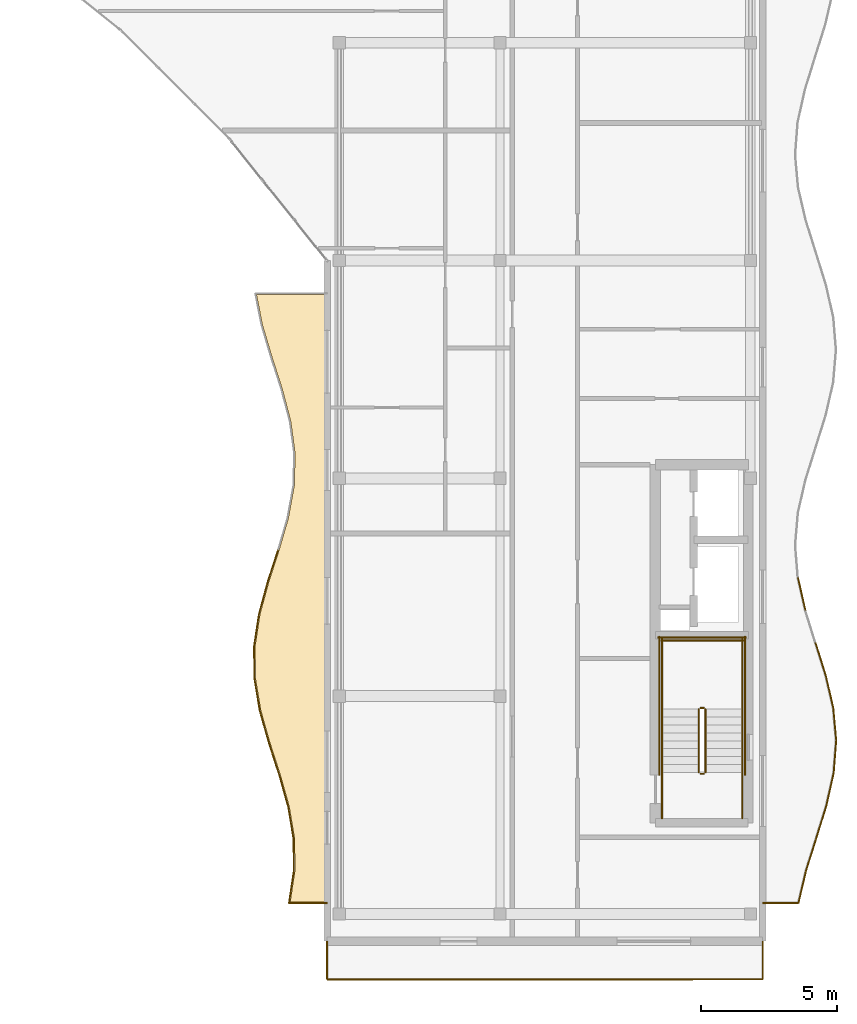
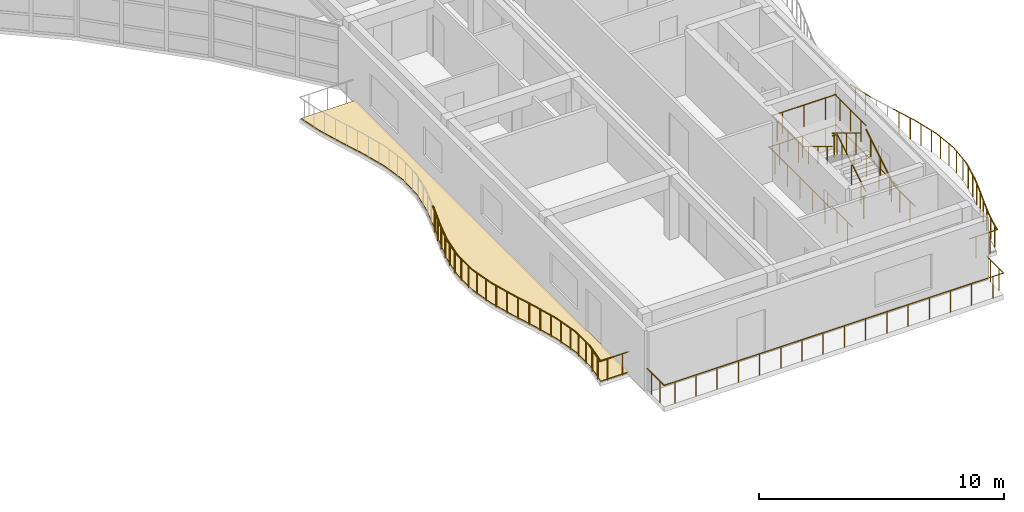
# One storey, part 16 of 18: 39 railings, 1 covering.
"""IFC4 building model written with IfcOpenShell, lengths in metres."""

import ifcopenshell
import ifcopenshell.guid

model = None  # the IFC model being written
_history = None  # IfcOwnerHistory: only IFC2X3 demands one
_inside = {}  # id of a spatial element -> (the spatial element, [elements in it])
_under = {}  # id of a project, library or spatial element -> (it, [spatial elements below it])
_declared = {}  # id of a project -> (the project, [libraries it declares])
_typed = {}  # id of a type object -> (the type object, [elements of that type])
_made_of = {}  # id of a material, layer set ... -> (it, [elements and type objects made of it])


def new_model(schema):
    """Start an empty IFC model of exactly this schema.

    Asked for "IFC4X3", IfcOpenShell would pick the latest addendum, in which some entities
    have other attributes; the version numbers below select the first issue.
    IFC2X3 requires an IfcOwnerHistory on every rooted entity: one is made here for all.
    """
    global model, _history
    if schema == "IFC4X3":
        model = ifcopenshell.file(schema_version=(4, 3, 0, 0))
    else:
        model = ifcopenshell.file(schema=schema)
    _inside.clear()
    _under.clear()
    _declared.clear()
    _typed.clear()
    _made_of.clear()
    _history = None
    if model.schema == "IFC2X3":
        org = make("IfcOrganization", Name="unknown")
        user = make(
            "IfcPersonAndOrganization",
            ThePerson=make("IfcPerson", FamilyName="unknown"),
            TheOrganization=org,
        )
        app = make(
            "IfcApplication",
            ApplicationDeveloper=org,
            Version="unknown",
            ApplicationFullName="unknown",
            ApplicationIdentifier="unknown",
        )
        _history = make(
            "IfcOwnerHistory",
            OwningUser=user,
            OwningApplication=app,
            ChangeAction="ADDED",
            CreationDate=0,
        )
    return model


def make(cls, **values):
    """One entity of the class cls with the attributes given. An attribute that is None is left unset."""
    return model.create_entity(
        cls, **{name: value for name, value in values.items() if value is not None}
    )


def rooted(cls, **values):
    """An entity with a GlobalId (a new one), such as an element, a storey or a relation."""
    return make(cls, GlobalId=ifcopenshell.guid.new(), OwnerHistory=_history, **values)


def si_unit(unit_type, name, prefix=None):
    """IfcSIUnit, for example si_unit("LENGTHUNIT", "METRE", prefix="MILLI")."""
    return make("IfcSIUnit", UnitType=unit_type, Prefix=prefix, Name=name)


def assignment(units):
    """IfcUnitAssignment: the units of a project."""
    return None if units is None else make("IfcUnitAssignment", Units=units)


def point(xyz):
    """IfcCartesianPoint."""
    return None if xyz is None else make("IfcCartesianPoint", Coordinates=xyz)


def direction(xyz):
    """IfcDirection."""
    return None if xyz is None else make("IfcDirection", DirectionRatios=xyz)


def frame(location, z_axis=None, x_axis=None):
    """IfcAxis2Placement3D, a coordinate frame: its origin and axes. An axis left out is left unset."""
    return make(
        "IfcAxis2Placement3D",
        Location=point(location),
        Axis=direction(z_axis),
        RefDirection=direction(x_axis),
    )


def frame_2d(location, x_axis=None):
    """IfcAxis2Placement2D, a coordinate frame in the plane: its origin and x axis."""
    return make(
        "IfcAxis2Placement2D", Location=point(location), RefDirection=direction(x_axis)
    )


def origin():
    """The frame at (0, 0, 0) with its axes left unset."""
    return frame((0.0, 0.0, 0.0))


def origin_2d():
    """The frame at (0, 0) in the plane with its x axis left unset."""
    return frame_2d((0.0, 0.0))


def place(relative_to, where):
    """IfcLocalPlacement: puts the frame where relative to a parent placement (None: the world)."""
    return make(
        "IfcLocalPlacement", PlacementRelTo=relative_to, RelativePlacement=where
    )


def context(
    kind, dimensions, precision=None, world=None, true_north=None, identifier=None
):
    """IfcGeometricRepresentationContext, for example the 3D "Model" context."""
    return make(
        "IfcGeometricRepresentationContext",
        ContextIdentifier=identifier,
        ContextType=kind,
        CoordinateSpaceDimension=dimensions,
        Precision=precision,
        WorldCoordinateSystem=world,
        TrueNorth=true_north,
    )


def subcontext(parent, identifier, kind, view, scale=None):
    """IfcGeometricRepresentationSubContext, for example "Body" below "Model"."""
    return make(
        "IfcGeometricRepresentationSubContext",
        ContextIdentifier=identifier,
        ContextType=kind,
        ParentContext=parent,
        TargetScale=scale,
        TargetView=view,
    )


def project(units=None, contexts=None):
    """IfcProject with its units and contexts."""
    return rooted(
        "IfcProject",
        Name="project",
        RepresentationContexts=contexts,
        UnitsInContext=assignment(units),
    )


def spatial(cls, under=None, at=None, **own):
    """A site, building, storey or space (cls), placed at a placement, below another one or the project."""
    s = rooted(cls, ObjectPlacement=at, **own)
    if under is not None:
        _under.setdefault(under.id(), (under, []))[1].append(s)
    return s


def polyline(points):
    """IfcPolyline through the points."""
    return make("IfcPolyline", Points=[point(p) for p in points])


def profile(cls, at=None, kind="AREA", **sizes):
    """A parametric profile (cls). Its sizes go by their IFC names, for example OverallWidth=200.0."""
    return make(cls, ProfileType=kind, Position=at, **sizes)


def circle(**sizes):
    """IfcCircleProfileDef."""
    return profile("IfcCircleProfileDef", **sizes)


def outline(outer, holes=None, kind="AREA"):
    """IfcArbitraryClosedProfileDef: a profile drawn as a closed curve; with holes, ...WithVoids."""
    if holes is None:
        return make("IfcArbitraryClosedProfileDef", ProfileType=kind, OuterCurve=outer)
    return make(
        "IfcArbitraryProfileDefWithVoids",
        ProfileType=kind,
        OuterCurve=outer,
        InnerCurves=holes,
    )


def extrude(swept, where, along, depth):
    """IfcExtrudedAreaSolid: the profile swept, set in the frame where, extruded along a direction by depth."""
    return make(
        "IfcExtrudedAreaSolid",
        SweptArea=swept,
        Position=where,
        ExtrudedDirection=direction(along),
        Depth=depth,
    )


def shape(context_of_items, identifier, shape_type, items):
    """IfcShapeRepresentation: the items that make up one representation, for example the "Body"."""
    return make(
        "IfcShapeRepresentation",
        ContextOfItems=context_of_items,
        RepresentationIdentifier=identifier,
        RepresentationType=shape_type,
        Items=items,
    )


def material(Name=None, Category=None):
    """IfcMaterial."""
    return make("IfcMaterial", Name=Name, Category=Category)


def layer(
    of_material, thickness, ventilated=None, Name=None, Category=None, Priority=None
):
    """IfcMaterialLayer: one layer of a wall or slab, of a material (None: an air gap)."""
    return make(
        "IfcMaterialLayer",
        Material=of_material,
        LayerThickness=thickness,
        IsVentilated=ventilated,
        Name=Name,
        Category=Category,
        Priority=Priority,
    )


def layer_set(layers, Name=None):
    """IfcMaterialLayerSet."""
    return make("IfcMaterialLayerSet", MaterialLayers=layers, LayerSetName=Name)


def made_of(thing, what):
    """Note that an element or type object is made of a material, layer set ...; save() writes the relation."""
    if what is not None:
        _made_of.setdefault(what.id(), (what, []))[1].append(thing)
    return thing


def type_object(cls, material=None, **own):
    """A type object (cls), such as IfcWallType, which elements share."""
    return made_of(rooted(cls, **own), material)


def element(
    cls,
    number,
    at=None,
    inside=None,
    cuts=None,
    type_object=None,
    material=None,
    context=None,
    identifier="Body",
    shape_type=None,
    held_by="IfcProductDefinitionShape",
    body=None,
    shapes=None,
    **own,
):
    """One element of the class cls, such as IfcWall. Its Tag is "e" and its number.

    at: its placement. inside: the storey or other place that contains it. cuts: it is an
    opening in that element (IfcRelVoidsElement). A single representation is given by context,
    identifier, shape_type and body (its items); several are given by shapes. held_by: the class
    of the entity that holds the representations. save() writes the other relations.
    """
    e = rooted(cls, Tag="e%d" % number, ObjectPlacement=at, **own)
    if body is not None:
        shapes = [shape(context, identifier, shape_type, body)]
    if shapes is not None:
        e.Representation = make(held_by, Representations=shapes)
    if inside is not None:
        _inside.setdefault(inside.id(), (inside, []))[1].append(e)
    if cuts is not None:
        rooted(
            "IfcRelVoidsElement", RelatingBuildingElement=cuts, RelatedOpeningElement=e
        )
    if type_object is not None:
        _typed.setdefault(type_object.id(), (type_object, []))[1].append(e)
    return made_of(e, material)


def aggregate(whole, parts):
    """IfcRelAggregates: a whole, such as a stair, and the parts it consists of."""
    return rooted("IfcRelAggregates", RelatingObject=whole, RelatedObjects=parts)


def save(model, path):
    """Write the relations noted so far, then the file.

    IfcRelAggregates (storeys below a building ...), IfcRelContainedInSpatialStructure (elements
    in a storey), IfcRelDefinesByType, IfcRelAssociatesMaterial and IfcRelDeclares: one each for
    every whole, place, type object, material and project.
    """
    for whole, parts in _under.values():
        aggregate(whole, parts)
    for where, things in _inside.values():
        rooted(
            "IfcRelContainedInSpatialStructure",
            RelatedElements=things,
            RelatingStructure=where,
        )
    for kind, things in _typed.values():
        rooted("IfcRelDefinesByType", RelatedObjects=things, RelatingType=kind)
    for what, things in _made_of.values():
        rooted("IfcRelAssociatesMaterial", RelatedObjects=things, RelatingMaterial=what)
    for by, libraries in _declared.values():
        rooted("IfcRelDeclares", RelatingContext=by, RelatedDefinitions=libraries)
    model.write(path)


model = new_model("IFC4")

# Units and contexts
model_context = context("Model", 3, precision=1e-05, world=origin(), true_north=direction((0.0, 1.0)))
body_context = subcontext(model_context, "Body", "Model", "MODEL_VIEW")
ifc_project = project(units=[si_unit("LENGTHUNIT", "METRE"), si_unit("AREAUNIT", "SQUARE_METRE"), si_unit("VOLUMEUNIT", "CUBIC_METRE"), si_unit("PLANEANGLEUNIT", "RADIAN"), si_unit("MASSUNIT", "GRAM", prefix="KILO")], contexts=[model_context])

# Site, building, storey
site_placement = place(None, origin())
site = spatial("IfcSite", under=ifc_project, at=site_placement, CompositionType="ELEMENT")
building_placement = place(site_placement, origin())
building = spatial("IfcBuilding", under=site, at=building_placement, Name="Keldmere Railside Commons", CompositionType="ELEMENT")
storey_placement = place(building_placement, frame((0.0, 0.0, 39.360107421875)))
storey = spatial("IfcBuildingStorey", under=building, at=storey_placement, Name="L12", CompositionType="ELEMENT", Elevation=39.360107421875)

# Railings
ifc_material_1 = material(Name="Steel F-24 (S235)", Category="steel")
railing_type_1 = type_object("IfcRailingType", Name="Balcony & Terrace Steel Balustrade 1100", PredefinedType="BALUSTRADE", material=ifc_material_1)
railing_1_placement = place(storey_placement, frame((168.0, 64.39990234375, 0.0)))
element("IfcRailing", 1, at=railing_1_placement, inside=storey, type_object=railing_type_1, Name="GR-1 GRD-L12-4575", PredefinedType="BALUSTRADE", context=body_context, shape_type="SweptSolid", body=[
    extrude(circle(Radius=0.02392578125, at=origin_2d()), frame((0.0, 0.0, 1.076171875), z_axis=(-1.0, 0.0, 0.0), x_axis=(0.0, -1.0, 0.0)), (0.0, 0.0, 1.0), 1.39892578125),
    extrude(circle(Radius=0.02099609375, at=origin_2d()), frame((-0.349609375, 0.0, 0.0)), (0.0, 0.0, 1.0), 1.048095703125),
    extrude(circle(Radius=0.02099609375, at=origin_2d()), frame((-1.04931640625, 0.0, 0.0)), (0.0, 0.0, 1.0), 1.048095703125),
])
railing_2_placement = place(storey_placement, frame((166.60107421875, 64.39990234375, 0.0)))
element("IfcRailing", 2, at=railing_2_placement, inside=storey, type_object=railing_type_1, Name="GR-1 GRD-L12-4576", PredefinedType="BALUSTRADE", context=body_context, shape_type="SweptSolid", body=[
    extrude(circle(Radius=0.02392578125, at=origin_2d()), frame((0.0, 0.0, 1.076171875), z_axis=(0.150072230473, 0.988675035409, 0.0), x_axis=(-0.988675035409, 0.150072230473, 0.0)), (0.0, 0.0, 1.0), 1.1923828125),
    extrude(circle(Radius=0.02099609375, at=origin_2d()), frame((0.044677734375, 0.294677734375, 0.0)), (0.0, 0.0, 1.0), 1.048095703125),
    extrude(circle(Radius=0.02099609375, at=origin_2d()), frame((0.13427734375, 0.88427734375, 0.0)), (0.0, 0.0, 1.0), 1.048095703125),
])
railing_3_placement = place(storey_placement, frame((166.780029296875, 65.578857421875, 0.0)))
element("IfcRailing", 3, at=railing_3_placement, inside=storey, type_object=railing_type_1, Name="GR-1 GRD-L12-4577", PredefinedType="BALUSTRADE", context=body_context, shape_type="SweptSolid", body=[
    extrude(circle(Radius=0.02392578125, at=origin_2d()), frame((0.0, 0.0, 1.076171875), z_axis=(-0.008490064674, 0.999963958751, 0.0), x_axis=(-0.999963958751, -0.008490064674, 0.0)), (0.0, 0.0, 1.0), 1.178955078125),
    extrude(circle(Radius=0.02099609375, at=origin_2d()), frame((-0.00244140625, 0.294677734375, 0.0)), (0.0, 0.0, 1.0), 1.048095703125),
    extrude(circle(Radius=0.02099609375, at=origin_2d()), frame((-0.007568359375, 0.88427734375, 0.0)), (0.0, 0.0, 1.0), 1.048095703125),
])
railing_4_placement = place(storey_placement, frame((166.77001953125, 66.7578125, 0.0)))
element("IfcRailing", 4, at=railing_4_placement, inside=storey, type_object=railing_type_1, Name="GR-1 GRD-L12-4578", PredefinedType="BALUSTRADE", context=body_context, shape_type="SweptSolid", body=[
    extrude(circle(Radius=0.02392578125, at=origin_2d()), frame((0.0, 0.0, 1.076171875), z_axis=(-0.164233360381, 0.986421514028, 0.0), x_axis=(-0.986421514028, -0.164233360381, 0.0)), (0.0, 0.0, 1.0), 1.195068359375),
    extrude(circle(Radius=0.02099609375, at=origin_2d()), frame((-0.049072265625, 0.294677734375, 0.0)), (0.0, 0.0, 1.0), 1.048095703125),
    extrude(circle(Radius=0.02099609375, at=origin_2d()), frame((-0.147216796875, 0.88427734375, 0.0)), (0.0, 0.0, 1.0), 1.048095703125),
])
railing_5_placement = place(storey_placement, frame((166.57373046875, 67.936767578125, 0.0)))
element("IfcRailing", 5, at=railing_5_placement, inside=storey, type_object=railing_type_1, Name="GR-1 GRD-L12-4579", PredefinedType="BALUSTRADE", context=body_context, shape_type="SweptSolid", body=[
    extrude(circle(Radius=0.02392578125, at=origin_2d()), frame((0.0, 0.0, 1.076171875), z_axis=(-0.270901436472, 0.962607091039, 0.0), x_axis=(-0.962607091039, -0.270901436472, 0.0)), (0.0, 0.0, 1.0), 1.224853515625),
    extrude(circle(Radius=0.02099609375, at=origin_2d()), frame((-0.0830078125, 0.294677734375, 0.0)), (0.0, 0.0, 1.0), 1.048095703125),
    extrude(circle(Radius=0.02099609375, at=origin_2d()), frame((-0.248779296875, 0.88427734375, 0.0)), (0.0, 0.0, 1.0), 1.048095703125),
])
railing_6_placement = place(storey_placement, frame((166.241943359375, 69.11572265625, 0.0)))
element("IfcRailing", 6, at=railing_6_placement, inside=storey, type_object=railing_type_1, Name="GR-1 GRD-L12-4580", PredefinedType="BALUSTRADE", context=body_context, shape_type="SweptSolid", body=[
    extrude(circle(Radius=0.02392578125, at=origin_2d()), frame((0.0, 0.0, 1.076171875), z_axis=(-0.307940932098, 0.951405477354, 0.0), x_axis=(-0.951405477354, -0.307940932098, 0.0)), (0.0, 0.0, 1.0), 1.2392578125),
    extrude(circle(Radius=0.02099609375, at=origin_2d()), frame((-0.095458984375, 0.294677734375, 0.0)), (0.0, 0.0, 1.0), 1.048095703125),
    extrude(circle(Radius=0.02099609375, at=origin_2d()), frame((-0.2861328125, 0.88427734375, 0.0)), (0.0, 0.0, 1.0), 1.048095703125),
])
railing_7_placement = place(storey_placement, frame((165.8603515625, 70.294677734375, 0.0)))
element("IfcRailing", 7, at=railing_7_placement, inside=storey, type_object=railing_type_1, Name="GR-1 GRD-L12-4581", PredefinedType="BALUSTRADE", context=body_context, shape_type="SweptSolid", body=[
    extrude(circle(Radius=0.02392578125, at=origin_2d()), frame((0.0, 0.0, 1.076171875), z_axis=(-0.271455431186, 0.962451011158, 0.0), x_axis=(-0.962451011158, -0.271455431186, 0.0)), (0.0, 0.0, 1.0), 1.224853515625),
    extrude(circle(Radius=0.02099609375, at=origin_2d()), frame((-0.0830078125, 0.294677734375, 0.0)), (0.0, 0.0, 1.0), 1.048095703125),
    extrude(circle(Radius=0.02099609375, at=origin_2d()), frame((-0.24951171875, 0.88427734375, 0.0)), (0.0, 0.0, 1.0), 1.048095703125),
])
railing_8_placement = place(storey_placement, frame((165.52783203125, 71.4736328125, 0.0)))
element("IfcRailing", 8, at=railing_8_placement, inside=storey, type_object=railing_type_1, Name="GR-1 GRD-L12-4582", PredefinedType="BALUSTRADE", context=body_context, shape_type="SweptSolid", body=[
    extrude(circle(Radius=0.02392578125, at=origin_2d()), frame((0.0, 0.0, 1.076171875), z_axis=(-0.165028242707, 0.986288841623, 0.0), x_axis=(-0.986288841623, -0.165028242707, 0.0)), (0.0, 0.0, 1.0), 1.1953125),
    extrude(circle(Radius=0.02099609375, at=origin_2d()), frame((-0.04931640625, 0.294677734375, 0.0)), (0.0, 0.0, 1.0), 1.048095703125),
    extrude(circle(Radius=0.02099609375, at=origin_2d()), frame((-0.14794921875, 0.88427734375, 0.0)), (0.0, 0.0, 1.0), 1.048095703125),
])
railing_9_placement = place(storey_placement, frame((165.33056640625, 72.652587890625, 0.0)))
element("IfcRailing", 9, at=railing_9_placement, inside=storey, type_object=railing_type_1, Name="GR-1 GRD-L12-4583", PredefinedType="BALUSTRADE", context=body_context, shape_type="SweptSolid", body=[
    extrude(circle(Radius=0.02392578125, at=origin_2d()), frame((0.0, 0.0, 1.076171875), z_axis=(-0.009525349578, 0.999954632829, 0.0), x_axis=(-0.999954632829, -0.009525349578, 0.0)), (0.0, 0.0, 1.0), 1.178955078125),
    extrude(circle(Radius=0.02099609375, at=origin_2d()), frame((-0.0029296875, 0.294677734375, 0.0)), (0.0, 0.0, 1.0), 1.048095703125),
    extrude(circle(Radius=0.02099609375, at=origin_2d()), frame((-0.00830078125, 0.88427734375, 0.0)), (0.0, 0.0, 1.0), 1.048095703125),
])
railing_10_placement = place(storey_placement, frame((165.3193359375, 73.83154296875, 0.0)))
element("IfcRailing", 10, at=railing_10_placement, inside=storey, type_object=railing_type_1, Name="GR-1 GRD-L12-4584", PredefinedType="BALUSTRADE", context=body_context, shape_type="SweptSolid", body=[
    extrude(circle(Radius=0.02392578125, at=origin_2d()), frame((0.0, 0.0, 1.076171875), z_axis=(0.149271579167, 0.988796235659, 0.0), x_axis=(-0.988796235659, 0.149271579167, 0.0)), (0.0, 0.0, 1.0), 1.1923828125),
    extrude(circle(Radius=0.02099609375, at=origin_2d()), frame((0.04443359375, 0.294677734375, 0.0)), (0.0, 0.0, 1.0), 1.048095703125),
    extrude(circle(Radius=0.02099609375, at=origin_2d()), frame((0.133544921875, 0.88427734375, 0.0)), (0.0, 0.0, 1.0), 1.048095703125),
])
railing_11_placement = place(storey_placement, frame((165.497314453125, 75.010498046875, 0.0)))
element("IfcRailing", 11, at=railing_11_placement, inside=storey, type_object=railing_type_1, Name="GR-1 GRD-L12-4585", PredefinedType="BALUSTRADE", context=body_context, shape_type="SweptSolid", body=[
    extrude(circle(Radius=0.02392578125, at=origin_2d()), frame((0.0, 0.0, 1.076171875), z_axis=(0.262931437005, 0.964814520742, 0.0), x_axis=(-0.964814520742, 0.262931437005, 0.0)), (0.0, 0.0, 1.0), 1.221923828125),
    extrude(circle(Radius=0.02099609375, at=origin_2d()), frame((0.080322265625, 0.294677734375, 0.0)), (0.0, 0.0, 1.0), 1.048095703125),
    extrude(circle(Radius=0.02099609375, at=origin_2d()), frame((0.240966796875, 0.88427734375, 0.0)), (0.0, 0.0, 1.0), 1.048095703125),
])
railing_12_placement = place(storey_placement, frame((165.818603515625, 76.189453125, 0.0)))
element("IfcRailing", 12, at=railing_12_placement, inside=storey, type_object=railing_type_1, Name="GR-1 GRD-L12-4586", PredefinedType="BALUSTRADE", context=body_context, shape_type="SweptSolid", body=[
    extrude(circle(Radius=0.02392578125, at=origin_2d()), frame((0.0, 0.0, 1.076171875), z_axis=(0.3074057772, 0.951578524423, 0.0), x_axis=(-0.951578524423, 0.3074057772, 0.0)), (0.0, 0.0, 1.0), 1.239013671875),
    extrude(circle(Radius=0.02099609375, at=origin_2d()), frame((0.09521484375, 0.294677734375, 0.0)), (0.0, 0.0, 1.0), 1.048095703125),
    extrude(circle(Radius=0.02099609375, at=origin_2d()), frame((0.28564453125, 0.88427734375, 0.0)), (0.0, 0.0, 1.0), 1.048095703125),
])
railing_13_placement = place(storey_placement, frame((184.0, 64.39990234375, 0.0)))
element("IfcRailing", 13, at=railing_13_placement, inside=storey, type_object=railing_type_1, Name="GR-1 GRD-L12-4596", PredefinedType="BALUSTRADE", context=body_context, shape_type="SweptSolid", body=[
    extrude(circle(Radius=0.02392578125, at=origin_2d()), frame((0.0, 0.0, 1.076171875), z_axis=(1.0, 0.0, 0.0), x_axis=(0.0, 1.0, 0.0)), (0.0, 0.0, 1.0), 1.312255859375),
    extrude(circle(Radius=0.02099609375, at=origin_2d()), frame((0.328125, 0.0, 0.0)), (0.0, 0.0, 1.0), 1.048095703125),
    extrude(circle(Radius=0.02099609375, at=origin_2d()), frame((0.984130859375, 0.0, 0.0)), (0.0, 0.0, 1.0), 1.048095703125),
])
railing_14_placement = place(storey_placement, frame((185.312255859375, 64.39990234375, 0.0)))
element("IfcRailing", 14, at=railing_14_placement, inside=storey, type_object=railing_type_1, Name="GR-1 GRD-L12-4597", PredefinedType="BALUSTRADE", context=body_context, shape_type="SweptSolid", body=[
    extrude(circle(Radius=0.02392578125, at=origin_2d()), frame((0.0, 0.0, 1.076171875), z_axis=(0.229272077471, 0.973362375733, 0.0), x_axis=(-0.973362375733, 0.229272077471, 0.0)), (0.0, 0.0, 1.0), 1.227783203125),
    extrude(circle(Radius=0.02099609375, at=origin_2d()), frame((0.0703125, 0.298828125, 0.0)), (0.0, 0.0, 1.0), 1.048095703125),
    extrude(circle(Radius=0.02099609375, at=origin_2d()), frame((0.211181640625, 0.896240234375, 0.0)), (0.0, 0.0, 1.0), 1.048095703125),
])
railing_15_placement = place(storey_placement, frame((185.59375, 65.594970703125, 0.0)))
element("IfcRailing", 15, at=railing_15_placement, inside=storey, type_object=railing_type_1, Name="GR-1 GRD-L12-4598", PredefinedType="BALUSTRADE", context=body_context, shape_type="SweptSolid", body=[
    extrude(circle(Radius=0.02392578125, at=origin_2d()), frame((0.0, 0.0, 1.076171875), z_axis=(0.300105284991, 0.953906084434, 0.0), x_axis=(-0.953906084434, 0.300105284991, 0.0)), (0.0, 0.0, 1.0), 1.2529296875),
    extrude(circle(Radius=0.02099609375, at=origin_2d()), frame((0.093994140625, 0.298828125, 0.0)), (0.0, 0.0, 1.0), 1.048095703125),
    extrude(circle(Radius=0.02099609375, at=origin_2d()), frame((0.281982421875, 0.896240234375, 0.0)), (0.0, 0.0, 1.0), 1.048095703125),
])
railing_16_placement = place(storey_placement, frame((185.9697265625, 66.7900390625, 0.0)))
element("IfcRailing", 16, at=railing_16_placement, inside=storey, type_object=railing_type_1, Name="GR-1 GRD-L12-4599", PredefinedType="BALUSTRADE", context=body_context, shape_type="SweptSolid", body=[
    extrude(circle(Radius=0.02392578125, at=origin_2d()), frame((0.0, 0.0, 1.076171875), z_axis=(0.296552625146, 0.955016513218, 0.0), x_axis=(-0.955016513218, 0.296552625146, 0.0)), (0.0, 0.0, 1.0), 1.25146484375),
    extrude(circle(Radius=0.02099609375, at=origin_2d()), frame((0.0927734375, 0.298828125, 0.0)), (0.0, 0.0, 1.0), 1.048095703125),
    extrude(circle(Radius=0.02099609375, at=origin_2d()), frame((0.2783203125, 0.896240234375, 0.0)), (0.0, 0.0, 1.0), 1.048095703125),
])
railing_17_placement = place(storey_placement, frame((186.3408203125, 67.985107421875, 0.0)))
element("IfcRailing", 17, at=railing_17_placement, inside=storey, type_object=railing_type_1, Name="GR-1 GRD-L12-4600", PredefinedType="BALUSTRADE", context=body_context, shape_type="SweptSolid", body=[
    extrude(circle(Radius=0.02392578125, at=origin_2d()), frame((0.0, 0.0, 1.076171875), z_axis=(0.217964968679, 0.975956593517, 0.0), x_axis=(-0.975956593517, 0.217964968679, 0.0)), (0.0, 0.0, 1.0), 1.224365234375),
    extrude(circle(Radius=0.02099609375, at=origin_2d()), frame((0.066650390625, 0.298828125, 0.0)), (0.0, 0.0, 1.0), 1.048095703125),
    extrude(circle(Radius=0.02099609375, at=origin_2d()), frame((0.2001953125, 0.89599609375, 0.0)), (0.0, 0.0, 1.0), 1.048095703125),
])
railing_18_placement = place(storey_placement, frame((186.607666015625, 69.179931640625, 0.0)))
element("IfcRailing", 18, at=railing_18_placement, inside=storey, type_object=railing_type_1, Name="GR-1 GRD-L12-4601", PredefinedType="BALUSTRADE", context=body_context, shape_type="SweptSolid", body=[
    extrude(circle(Radius=0.02392578125, at=origin_2d()), frame((0.0, 0.0, 1.076171875), z_axis=(0.076992435931, 0.997031676934, 0.0), x_axis=(-0.997031676934, 0.076992435931, 0.0)), (0.0, 0.0, 1.0), 1.19873046875),
    extrude(circle(Radius=0.02099609375, at=origin_2d()), frame((0.02294921875, 0.298828125, 0.0)), (0.0, 0.0, 1.0), 1.048095703125),
    extrude(circle(Radius=0.02099609375, at=origin_2d()), frame((0.0693359375, 0.896240234375, 0.0)), (0.0, 0.0, 1.0), 1.048095703125),
])
railing_19_placement = place(storey_placement, frame((186.699951171875, 70.375, 0.0)))
element("IfcRailing", 19, at=railing_19_placement, inside=storey, type_object=railing_type_1, Name="GR-1 GRD-L12-4602", PredefinedType="BALUSTRADE", context=body_context, shape_type="SweptSolid", body=[
    extrude(circle(Radius=0.02392578125, at=origin_2d()), frame((0.0, 0.0, 1.076171875), z_axis=(-0.089324845307, 0.996002546187, 0.0), x_axis=(-0.996002546187, -0.089324845307, 0.0)), (0.0, 0.0, 1.0), 1.199951171875),
    extrude(circle(Radius=0.02099609375, at=origin_2d()), frame((-0.02685546875, 0.298828125, 0.0)), (0.0, 0.0, 1.0), 1.048095703125),
    extrude(circle(Radius=0.02099609375, at=origin_2d()), frame((-0.080322265625, 0.896240234375, 0.0)), (0.0, 0.0, 1.0), 1.048095703125),
])
railing_20_placement = place(storey_placement, frame((186.5927734375, 71.570068359375, 0.0)))
element("IfcRailing", 20, at=railing_20_placement, inside=storey, type_object=railing_type_1, Name="GR-1 GRD-L12-4603", PredefinedType="BALUSTRADE", context=body_context, shape_type="SweptSolid", body=[
    extrude(circle(Radius=0.02392578125, at=origin_2d()), frame((0.0, 0.0, 1.076171875), z_axis=(-0.226487148912, 0.974014153582, 0.0), x_axis=(-0.974014153582, -0.226487148912, 0.0)), (0.0, 0.0, 1.0), 1.226806640625),
    extrude(circle(Radius=0.02099609375, at=origin_2d()), frame((-0.0693359375, 0.298828125, 0.0)), (0.0, 0.0, 1.0), 1.048095703125),
    extrude(circle(Radius=0.02099609375, at=origin_2d()), frame((-0.20849609375, 0.89599609375, 0.0)), (0.0, 0.0, 1.0), 1.048095703125),
])
railing_21_placement = place(storey_placement, frame((186.31494140625, 72.764892578125, 0.0)))
element("IfcRailing", 21, at=railing_21_placement, inside=storey, type_object=railing_type_1, Name="GR-1 GRD-L12-4604", PredefinedType="BALUSTRADE", context=body_context, shape_type="SweptSolid", body=[
    extrude(circle(Radius=0.02392578125, at=origin_2d()), frame((0.0, 0.0, 1.076171875), z_axis=(-0.299395745708, 0.954129020338, 0.0), x_axis=(-0.954129020338, -0.299395745708, 0.0)), (0.0, 0.0, 1.0), 1.25244140625),
    extrude(circle(Radius=0.02099609375, at=origin_2d()), frame((-0.09375, 0.298828125, 0.0)), (0.0, 0.0, 1.0), 1.048095703125),
    extrude(circle(Radius=0.02099609375, at=origin_2d()), frame((-0.28125, 0.896240234375, 0.0)), (0.0, 0.0, 1.0), 1.048095703125),
])
railing_22_placement = place(storey_placement, frame((185.56787109375, 75.155029296875, 0.0)))
element("IfcRailing", 22, at=railing_22_placement, inside=storey, type_object=railing_type_1, Name="GR-1 GRD-L12-4606", PredefinedType="BALUSTRADE", context=body_context, shape_type="SweptSolid", body=[
    extrude(circle(Radius=0.02392578125, at=origin_2d()), frame((0.0, 0.0, 1.076171875), z_axis=(-0.220957960439, 0.975283333047, 0.0), x_axis=(-0.975283333047, -0.220957960439, 0.0)), (0.0, 0.0, 1.0), 1.225341796875),
    extrude(circle(Radius=0.02099609375, at=origin_2d()), frame((-0.067626953125, 0.298828125, 0.0)), (0.0, 0.0, 1.0), 1.048095703125),
    extrude(circle(Radius=0.02099609375, at=origin_2d()), frame((-0.203125, 0.896240234375, 0.0)), (0.0, 0.0, 1.0), 1.048095703125),
])
railing_23_placement = place(storey_placement, frame((168.0, 63.0, 0.0)))
element("IfcRailing", 23, at=railing_23_placement, inside=storey, type_object=railing_type_1, Name="GR-1 GRD-L12-4649", PredefinedType="BALUSTRADE", context=body_context, shape_type="SweptSolid", body=[
    extrude(circle(Radius=0.02392578125, at=origin_2d()), frame((0.0, 0.0, 1.076171875), z_axis=(0.0, -1.0, 0.0), x_axis=(1.0, 0.0, 0.0)), (0.0, 0.0, 1.0), 1.39990234375),
    extrude(circle(Radius=0.02099609375, at=origin_2d()), frame((0.0, -0.35009765625, 0.0)), (0.0, 0.0, 1.0), 1.048095703125),
    extrude(circle(Radius=0.02099609375, at=origin_2d()), frame((0.0, -1.0498046875, 0.0)), (0.0, 0.0, 1.0), 1.048095703125),
])
railing_24_placement = place(storey_placement, frame((168.0, 61.60009765625, 0.0)))
element("IfcRailing", 24, at=railing_24_placement, inside=storey, type_object=railing_type_1, Name="GR-1 GRD-L12-4650", PredefinedType="BALUSTRADE", context=body_context, shape_type="SweptSolid", body=[
    extrude(circle(Radius=0.02392578125, at=origin_2d()), frame((0.0, 0.0, 1.076171875), z_axis=(1.0, 0.0, 0.0), x_axis=(0.0, 1.0, 0.0)), (0.0, 0.0, 1.0), 16.0),
    extrude(circle(Radius=0.02099609375, at=origin_2d()), frame((0.5, 0.0, 0.0)), (0.0, 0.0, 1.0), 1.048095703125),
    extrude(circle(Radius=0.02099609375, at=origin_2d()), frame((1.5, 0.0, 0.0)), (0.0, 0.0, 1.0), 1.048095703125),
    extrude(circle(Radius=0.02099609375, at=origin_2d()), frame((2.5, 0.0, 0.0)), (0.0, 0.0, 1.0), 1.048095703125),
    extrude(circle(Radius=0.02099609375, at=origin_2d()), frame((3.5, 0.0, 0.0)), (0.0, 0.0, 1.0), 1.048095703125),
    extrude(circle(Radius=0.02099609375, at=origin_2d()), frame((4.5, 0.0, 0.0)), (0.0, 0.0, 1.0), 1.048095703125),
    extrude(circle(Radius=0.02099609375, at=origin_2d()), frame((5.5, 0.0, 0.0)), (0.0, 0.0, 1.0), 1.048095703125),
    extrude(circle(Radius=0.02099609375, at=origin_2d()), frame((6.5, 0.0, 0.0)), (0.0, 0.0, 1.0), 1.048095703125),
    extrude(circle(Radius=0.02099609375, at=origin_2d()), frame((7.5, 0.0, 0.0)), (0.0, 0.0, 1.0), 1.048095703125),
    extrude(circle(Radius=0.02099609375, at=origin_2d()), frame((8.5, 0.0, 0.0)), (0.0, 0.0, 1.0), 1.048095703125),
    extrude(circle(Radius=0.02099609375, at=origin_2d()), frame((9.5, 0.0, 0.0)), (0.0, 0.0, 1.0), 1.048095703125),
    extrude(circle(Radius=0.02099609375, at=origin_2d()), frame((10.5, 0.0, 0.0)), (0.0, 0.0, 1.0), 1.048095703125),
    extrude(circle(Radius=0.02099609375, at=origin_2d()), frame((11.5, 0.0, 0.0)), (0.0, 0.0, 1.0), 1.048095703125),
    extrude(circle(Radius=0.02099609375, at=origin_2d()), frame((12.5, 0.0, 0.0)), (0.0, 0.0, 1.0), 1.048095703125),
    extrude(circle(Radius=0.02099609375, at=origin_2d()), frame((13.5, 0.0, 0.0)), (0.0, 0.0, 1.0), 1.048095703125),
    extrude(circle(Radius=0.02099609375, at=origin_2d()), frame((14.5, 0.0, 0.0)), (0.0, 0.0, 1.0), 1.048095703125),
    extrude(circle(Radius=0.02099609375, at=origin_2d()), frame((15.5, 0.0, 0.0)), (0.0, 0.0, 1.0), 1.048095703125),
])
railing_25_placement = place(storey_placement, frame((184.0, 61.60009765625, 0.0)))
element("IfcRailing", 25, at=railing_25_placement, inside=storey, type_object=railing_type_1, Name="GR-1 GRD-L12-4651", PredefinedType="BALUSTRADE", context=body_context, shape_type="SweptSolid", body=[
    extrude(circle(Radius=0.02392578125, at=origin_2d()), frame((0.0, 0.0, 1.076171875), z_axis=(0.0, 1.0, 0.0), x_axis=(-1.0, 0.0, 0.0)), (0.0, 0.0, 1.0), 1.39990234375),
    extrude(circle(Radius=0.02099609375, at=origin_2d()), frame((0.0, 0.35009765625, 0.0)), (0.0, 0.0, 1.0), 1.048095703125),
    extrude(circle(Radius=0.02099609375, at=origin_2d()), frame((0.0, 1.0498046875, 0.0)), (0.0, 0.0, 1.0), 1.048095703125),
])
railing_type_2 = type_object("IfcRailingType", Name="Stair Well Steel Guardrail 1100", PredefinedType="BALUSTRADE", material=ifc_material_1)
railing_26_placement = place(storey_placement, frame((181.89990234375, 69.199951171875, 0.177734375)))
element("IfcRailing", 26, at=railing_26_placement, inside=storey, type_object=railing_type_2, Name="L12 ST-A1 stair guard 1", PredefinedType="BALUSTRADE", context=body_context, shape_type="SweptSolid", body=[
    extrude(circle(Radius=0.02392578125, at=origin_2d()), frame((0.0, 0.0, 1.076171875), z_axis=(0.0, 0.852578041948, 0.522599925744), x_axis=(-1.0, 0.0, 0.0)), (0.0, 0.0, 1.0), 2.72119140625),
    extrude(circle(Radius=0.02099609375, at=origin_2d()), frame((0.0, 0.38671875, 0.237060546875)), (0.0, 0.0, 1.0), 1.048095703125),
    extrude(circle(Radius=0.02099609375, at=origin_2d()), frame((0.0, 1.16015625, 0.7109375)), (0.0, 0.0, 1.0), 1.048095703125),
    extrude(circle(Radius=0.02099609375, at=origin_2d()), frame((0.0, 1.933349609375, 1.18505859375)), (0.0, 0.0, 1.0), 1.048095703125),
])
railing_27_placement = place(storey_placement, frame((181.85009765625, 71.570068359375, 1.599853515625)))
element("IfcRailing", 27, at=railing_27_placement, inside=storey, type_object=railing_type_2, Name="L12 ST-A1 stair guard 2", PredefinedType="BALUSTRADE", context=body_context, shape_type="SweptSolid", body=[
    extrude(circle(Radius=0.02392578125, at=origin_2d()), frame((0.0, 0.0, 1.076171875), z_axis=(-1.0, 0.0, 0.0), x_axis=(0.0, -1.0, 0.0)), (0.0, 0.0, 1.0), 0.150146484375),
    extrude(circle(Radius=0.02099609375, at=origin_2d()), frame((-0.0751953125, 0.0, 0.0)), (0.0, 0.0, 1.0), 1.048095703125),
])
for number, where, name in (
    (28, (183.25, 71.52001953125, 1.599853515625), "L12 ST-A1 stair guard 3"),
    (29, (180.300048828125, 71.52001953125, 1.599853515625), "L12 ST-A1 stair guard 4"),
):
    element("IfcRailing", number, at=place(storey_placement, frame(where)), inside=storey, type_object=railing_type_2, Name=name, PredefinedType="BALUSTRADE", context=body_context, shape_type="SweptSolid", body=[
        extrude(circle(Radius=0.02392578125, at=origin_2d()), frame((0.0, 0.0, 1.076171875), z_axis=(0.0, 1.0, 0.0), x_axis=(-1.0, 0.0, 0.0)), (0.0, 0.0, 1.0), 2.580078125),
        extrude(circle(Radius=0.02099609375, at=origin_2d()), frame((0.0, 0.429931640625, 0.0)), (0.0, 0.0, 1.0), 1.048095703125),
        extrude(circle(Radius=0.02099609375, at=origin_2d()), frame((0.0, 1.2900390625, 0.0)), (0.0, 0.0, 1.0), 1.048095703125),
        extrude(circle(Radius=0.02099609375, at=origin_2d()), frame((0.0, 2.150146484375, 0.0)), (0.0, 0.0, 1.0), 1.048095703125),
    ])
railing_28_placement = place(storey_placement, frame((183.300048828125, 74.050048828125, 1.599853515625)))
element("IfcRailing", 30, at=railing_28_placement, inside=storey, type_object=railing_type_2, Name="L12 ST-A1 stair guard 5", PredefinedType="BALUSTRADE", context=body_context, shape_type="SweptSolid", body=[
    extrude(circle(Radius=0.02392578125, at=origin_2d()), frame((0.0, 0.0, 1.076171875), z_axis=(-1.0, 0.0, 0.0), x_axis=(0.0, -1.0, 0.0)), (0.0, 0.0, 1.0), 3.050048828125),
    extrude(circle(Radius=0.02099609375, at=origin_2d()), frame((-0.50830078125, 0.0, 0.0)), (0.0, 0.0, 1.0), 1.048095703125),
    extrude(circle(Radius=0.02099609375, at=origin_2d()), frame((-1.52490234375, 0.0, 0.0)), (0.0, 0.0, 1.0), 1.048095703125),
    extrude(circle(Radius=0.02099609375, at=origin_2d()), frame((-2.541748046875, 0.0, 0.0)), (0.0, 0.0, 1.0), 1.048095703125),
])
railing_29_placement = place(storey_placement, frame((181.64990234375, 71.52001953125, 1.777587890625)))
element("IfcRailing", 31, at=railing_29_placement, inside=storey, type_object=railing_type_2, Name="L12 ST-A1 stair guard 6", PredefinedType="BALUSTRADE", context=body_context, shape_type="SweptSolid", body=[
    extrude(circle(Radius=0.02392578125, at=origin_2d()), frame((0.0, 0.0, 1.076171875), z_axis=(0.0, -0.852538067394, 0.522665135287), x_axis=(1.0, 0.0, 0.0)), (0.0, 0.0, 1.0), 2.721435546875),
    extrude(circle(Radius=0.02099609375, at=origin_2d()), frame((0.0, -0.38671875, 0.237060546875)), (0.0, 0.0, 1.0), 1.048095703125),
    extrude(circle(Radius=0.02099609375, at=origin_2d()), frame((0.0, -1.16015625, 0.711181640625)), (0.0, 0.0, 1.0), 1.048095703125),
    extrude(circle(Radius=0.02099609375, at=origin_2d()), frame((0.0, -1.933349609375, 1.185302734375)), (0.0, 0.0, 1.0), 1.048095703125),
])
railing_30_placement = place(storey_placement, frame((181.85009765625, 69.14990234375, 0.0)))
element("IfcRailing", 32, at=railing_30_placement, inside=storey, type_object=railing_type_2, Name="L12 ST-A1 stair guard 7", PredefinedType="BALUSTRADE", context=body_context, shape_type="SweptSolid", body=[
    extrude(circle(Radius=0.02392578125, at=origin_2d()), frame((0.0, 0.0, 1.076171875), z_axis=(-1.0, 0.0, 0.0), x_axis=(0.0, -1.0, 0.0)), (0.0, 0.0, 1.0), 0.150146484375),
    extrude(circle(Radius=0.02099609375, at=origin_2d()), frame((-0.0751953125, 0.0, 0.0)), (0.0, 0.0, 1.0), 1.048095703125),
])
for number, where, name in (
    (33, (183.25, 67.5, 0.0), "L12 ST-A1 stair guard 8"),
    (34, (180.300048828125, 67.5, 0.0), "L12 ST-A1 stair guard 9"),
):
    element("IfcRailing", number, at=place(storey_placement, frame(where)), inside=storey, type_object=railing_type_2, Name=name, PredefinedType="BALUSTRADE", context=body_context, shape_type="SweptSolid", body=[
        extrude(circle(Radius=0.02392578125, at=origin_2d()), frame((0.0, 0.0, 1.076171875), z_axis=(0.0, 1.0, 0.0), x_axis=(-1.0, 0.0, 0.0)), (0.0, 0.0, 1.0), 1.699951171875),
        extrude(circle(Radius=0.02099609375, at=origin_2d()), frame((0.0, 0.425048828125, 0.0)), (0.0, 0.0, 1.0), 1.048095703125),
        extrude(circle(Radius=0.02099609375, at=origin_2d()), frame((0.0, 1.27490234375, 0.0)), (0.0, 0.0, 1.0), 1.048095703125),
    ])
for number, where, name in (
    (35, (183.35009765625, 69.10009765625, 0.0), "L12 ST-A1 stair guard 10"),
    (36, (180.199951171875, 69.10009765625, 0.0), "L12 ST-A1 stair guard 11"),
):
    element("IfcRailing", number, at=place(storey_placement, frame(where)), inside=storey, type_object=railing_type_2, Name=name, PredefinedType="BALUSTRADE", context=body_context, shape_type="SweptSolid", body=[
        extrude(circle(Radius=0.02392578125, at=origin_2d()), frame((0.0, 0.0, 1.076171875), z_axis=(0.0, 1.0, 0.0), x_axis=(-1.0, 0.0, 0.0)), (0.0, 0.0, 1.0), 5.099853515625),
        extrude(circle(Radius=0.02099609375, at=origin_2d()), frame((0.0, 0.510009765625, 0.0)), (0.0, 0.0, 1.0), 1.048095703125),
        extrude(circle(Radius=0.02099609375, at=origin_2d()), frame((0.0, 1.530029296875, 0.0)), (0.0, 0.0, 1.0), 1.048095703125),
        extrude(circle(Radius=0.02099609375, at=origin_2d()), frame((0.0, 2.5498046875, 0.0)), (0.0, 0.0, 1.0), 1.048095703125),
        extrude(circle(Radius=0.02099609375, at=origin_2d()), frame((0.0, 3.56982421875, 0.0)), (0.0, 0.0, 1.0), 1.048095703125),
        extrude(circle(Radius=0.02099609375, at=origin_2d()), frame((0.0, 4.58984375, 0.0)), (0.0, 0.0, 1.0), 1.048095703125),
    ])
railing_31_placement = place(storey_placement, frame((183.39990234375, 74.14990234375, 0.0)))
element("IfcRailing", 37, at=railing_31_placement, inside=storey, type_object=railing_type_2, Name="L12 ST-A1 stair guard 12", PredefinedType="BALUSTRADE", context=body_context, shape_type="SweptSolid", body=[
    extrude(circle(Radius=0.02392578125, at=origin_2d()), frame((0.0, 0.0, 1.076171875), z_axis=(-1.0, 0.0, 0.0), x_axis=(0.0, -1.0, 0.0)), (0.0, 0.0, 1.0), 3.25),
    extrude(circle(Radius=0.02099609375, at=origin_2d()), frame((-0.541748046875, 0.0, 0.0)), (0.0, 0.0, 1.0), 1.048095703125),
    extrude(circle(Radius=0.02099609375, at=origin_2d()), frame((-1.625, 0.0, 0.0)), (0.0, 0.0, 1.0), 1.048095703125),
    extrude(circle(Radius=0.02099609375, at=origin_2d()), frame((-2.708251953125, 0.0, 0.0)), (0.0, 0.0, 1.0), 1.048095703125),
])
railing_type_3 = type_object("IfcRailingType", Name="Wall-Mounted Tubular Steel Handrail 900", PredefinedType="HANDRAIL", material=ifc_material_1)
railing_32_placement = place(storey_placement, frame((183.25, 69.199951171875, 0.177734375)))
element("IfcRailing", 38, at=railing_32_placement, inside=storey, type_object=railing_type_3, Name="L12 ST-A1 stair handrail 1", PredefinedType="HANDRAIL", context=body_context, shape_type="SweptSolid", body=[
    extrude(circle(Radius=0.02392578125, at=origin_2d()), frame((0.0, 0.0, 0.8759765625), z_axis=(0.0, 0.852578041948, 0.522599925744), x_axis=(-1.0, 0.0, 0.0)), (0.0, 0.0, 1.0), 2.72119140625),
    extrude(circle(Radius=0.02099609375, at=origin_2d()), frame((0.0, 0.38671875, 0.237060546875)), (0.0, 0.0, 1.0), 0.847900390625),
    extrude(circle(Radius=0.02099609375, at=origin_2d()), frame((0.0, 1.16015625, 0.7109375)), (0.0, 0.0, 1.0), 0.847900390625),
    extrude(circle(Radius=0.02099609375, at=origin_2d()), frame((0.0, 1.933349609375, 1.18505859375)), (0.0, 0.0, 1.0), 0.847900390625),
])
railing_33_placement = place(storey_placement, frame((180.300048828125, 71.52001953125, 1.777587890625)))
element("IfcRailing", 39, at=railing_33_placement, inside=storey, type_object=railing_type_3, Name="L12 ST-A1 stair handrail 2", PredefinedType="HANDRAIL", context=body_context, shape_type="SweptSolid", body=[
    extrude(circle(Radius=0.02392578125, at=origin_2d()), frame((0.0, 0.0, 0.8759765625), z_axis=(0.0, -0.852538067394, 0.522665135287), x_axis=(1.0, 0.0, 0.0)), (0.0, 0.0, 1.0), 2.721435546875),
    extrude(circle(Radius=0.02099609375, at=origin_2d()), frame((0.0, -0.38671875, 0.237060546875)), (0.0, 0.0, 1.0), 0.847900390625),
    extrude(circle(Radius=0.02099609375, at=origin_2d()), frame((0.0, -1.16015625, 0.711181640625)), (0.0, 0.0, 1.0), 0.847900390625),
    extrude(circle(Radius=0.02099609375, at=origin_2d()), frame((0.0, -1.933349609375, 1.185302734375)), (0.0, 0.0, 1.0), 0.847900390625),
])

# Covering
ifc_material_2 = material(Name="White Precast Concrete C35/45", Category="concrete")
ifc_layer = layer(ifc_material_2, 0.044921875, Name="White Architectural Balcony Ribbon Cladding 45")
ifc_layer_set = layer_set([ifc_layer], Name="White Precast Concrete C35/45")
covering_type = type_object("IfcCoveringType", Name="White Architectural Balcony Ribbon Cladding 45", PredefinedType="FLOORING", material=ifc_layer_set)
covering_placement = place(storey_placement, origin())
element("IfcCovering", 40, at=covering_placement, inside=storey, type_object=covering_type, Name="CLG-WB A L12 CW White Balcony Ribbon", PredefinedType="FLOORING", context=body_context, shape_type="SweptSolid", body=[
    extrude(outline(polyline([(167.9599609375, 86.760009765625), (165.40673828125, 86.760009765625), (165.629150390625, 85.630615234375), (165.9794921875, 84.453857421875), (166.358642578125, 83.275390625), (166.359130859375, 83.273193359375), (166.66845703125, 82.09423828125), (166.669189453125, 82.089599609375), (166.828369140625, 80.91064453125), (166.82861328125, 80.907470703125), (166.828857421875, 80.904296875), (166.796630859375, 79.72509765625), (166.79638671875, 79.72216796875), (166.796142578125, 79.718994140625), (166.5810546875, 78.540283203125), (166.580078125, 78.5361328125), (166.23779296875, 77.357177734375), (166.237548828125, 77.356201171875), (165.856689453125, 76.177978515625), (165.53662109375, 75.002197265625), (165.359375, 73.828857421875), (165.37060546875, 72.656005859375), (165.56689453125, 71.482421875), (165.898681640625, 70.306396484375), (166.280029296875, 69.128173828125), (166.280517578125, 69.126708984375), (166.6123046875, 67.947509765625), (166.61328125, 67.943359375), (166.8095703125, 66.764404296875), (166.809814453125, 66.761474609375), (166.81005859375, 66.75830078125), (166.820068359375, 65.5791015625), (166.81982421875, 65.576171875), (166.819580078125, 65.572998046875), (166.6474609375, 64.43994140625), (167.9599609375, 64.43994140625), (167.9599609375, 86.760009765625)])), origin(), (0.0, 0.0, 1.0), 0.044921875),
])

save(model, "model.ifc")
